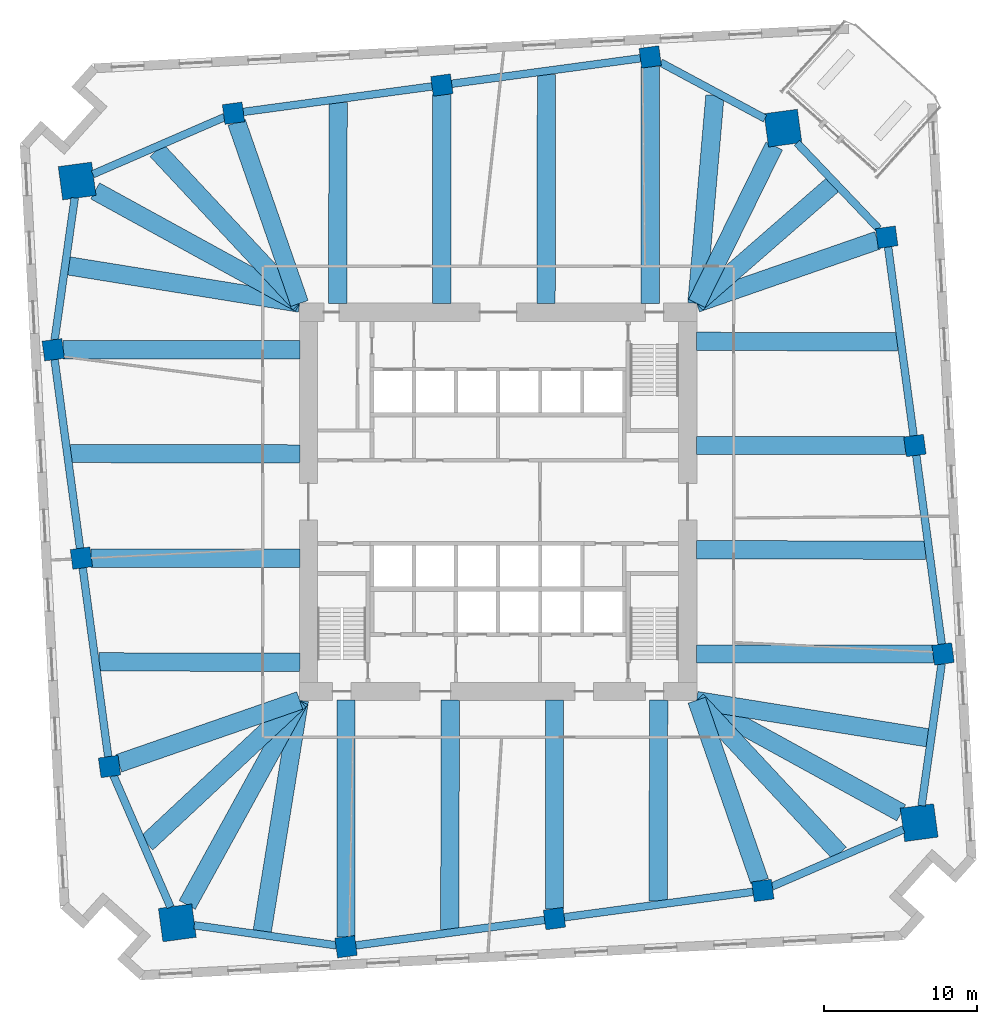
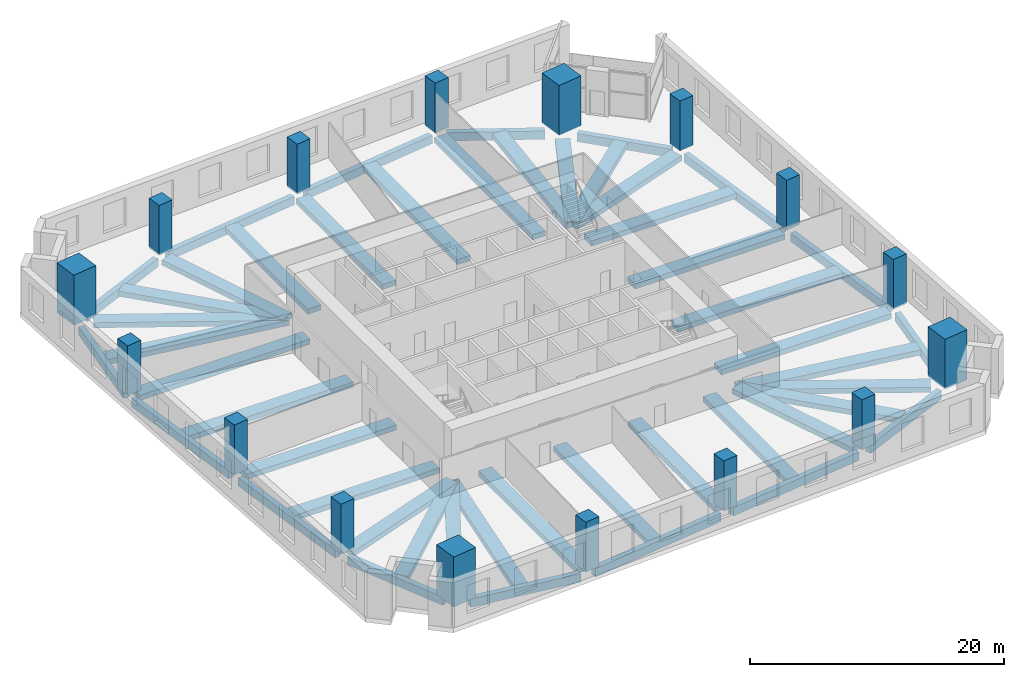
# One storey, part 1 of 10: 48 beams, 16 columns.
"""IFC4 building model written with IfcOpenShell, lengths in metres."""

from ifc_helpers import new_model, si_unit, direction, frame, origin, origin_2d, place, context, subcontext, project, spatial, rectangle, extrude, material, material_profile, profile_set, type_object, element, save


model = new_model("IFC4")

# Units and contexts
model_context = context("Model", 3, precision=1e-05, world=origin(), true_north=direction((0.0, 1.0)))
body_context = subcontext(model_context, "Body", "Model", "MODEL_VIEW")
ifc_project = project(units=[si_unit("LENGTHUNIT", "METRE"), si_unit("AREAUNIT", "SQUARE_METRE"), si_unit("VOLUMEUNIT", "CUBIC_METRE"), si_unit("PLANEANGLEUNIT", "RADIAN"), si_unit("MASSUNIT", "GRAM", prefix="KILO")], contexts=[model_context])

# Site, building, storey
site_placement = place(None, origin())
site = spatial("IfcSite", under=ifc_project, at=site_placement, CompositionType="ELEMENT")
building_placement = place(site_placement, origin())
building = spatial("IfcBuilding", under=site, at=building_placement, Name="Dilmun Exchange Tower", CompositionType="ELEMENT")
storey_placement = place(building_placement, frame((0.0, 0.0, 27.300048828125)))
storey = spatial("IfcBuildingStorey", under=building, at=storey_placement, Name="L06", CompositionType="ELEMENT", Elevation=27.300048828125)

# Columns
ifc_material_1 = material(Name="Concrete C80/95", Category="concrete")
ifc_material_profile_1 = material_profile(ifc_material_1, rectangle(XDim=2.199951171875, YDim=2.199951171875, at=origin_2d()), Name="2200 x 2200")
ifc_profile_set_1 = profile_set([ifc_material_profile_1], Name="Concrete C80/95")
column_type_1 = type_object("IfcColumnType", Name="RC mega column 2200 x 2200 C80/95", PredefinedType="COLUMN", material=ifc_profile_set_1)
for number, where, z_axis, x_axis, name in (
    (1, (18.6220703125, 24.43701171875, 0.0), (0.0, 0.0, 1.0), (0.991001197216, 0.133853005627, 0.0), "Mega column M1"),
    (2, (-27.531005859375, 20.97900390625, 0.0), (0.0, 0.0, 1.0), (0.991001197216, 0.133853005627, 0.0), "Mega column M2"),
    (3, (-20.97900390625, -27.531005859375, 0.0), (0.0, 0.0, 1.0), (0.991001197216, 0.133853005627, 0.0), "Mega column M3"),
    (4, (27.531005859375, -20.97900390625, 0.0), (0.0, 0.0, 1.0), (0.991001197216, 0.133853005627, 0.0), "Mega column M4"),
):
    element("IfcColumn", number, at=place(storey_placement, frame(where, z_axis=z_axis, x_axis=x_axis)), inside=storey, type_object=column_type_1, Name=name, PredefinedType="COLUMN", context=body_context, shape_type="SweptSolid", body=[
        extrude(rectangle(XDim=2.199951171875, YDim=2.199951171875, at=origin_2d()), origin(), (0.0, 0.0, 1.0), 4.800048828125),
    ])
ifc_material_profile_2 = material_profile(ifc_material_1, rectangle(XDim=1.300048828125, YDim=1.300048828125, at=origin_2d()), Name="1300 x 1300")
ifc_profile_set_2 = profile_set([ifc_material_profile_2], Name="Concrete C80/95")
column_type_2 = type_object("IfcColumnType", Name="RC ring column 1300 x 1300 C80/95", PredefinedType="COLUMN", material=ifc_profile_set_2)
for number, where, z_axis, x_axis, name in (
    (5, (9.945068359375, 29.093017578125, 0.0), (0.0, 0.0, 1.0), (0.991001197216, 0.133853005627, 0.0), "Ring column R01"),
    (6, (-3.680908203125, 27.2529296875, 0.0), (0.0, 0.0, 1.0), (0.991001197216, 0.133853005627, 0.0), "Ring column R02"),
    (7, (-17.306884765625, 25.412109375, 0.0), (0.0, 0.0, 1.0), (0.991001197216, 0.133853005627, 0.0), "Ring column R03"),
    (8, (-29.093017578125, 9.945068359375, 0.0), (0.0, 0.0, 1.0), (0.991001197216, 0.133853005627, 0.0), "Ring column R04"),
    (9, (-27.2529296875, -3.680908203125, 0.0), (0.0, 0.0, 1.0), (0.991001197216, 0.133853005627, 0.0), "Ring column R05"),
    (10, (-25.412109375, -17.306884765625, 0.0), (0.0, 0.0, 1.0), (0.991001197216, 0.133853005627, 0.0), "Ring column R06"),
    (11, (-9.945068359375, -29.093017578125, 0.0), (0.0, 0.0, 1.0), (0.991001197216, 0.133853005627, 0.0), "Ring column R07"),
    (12, (3.680908203125, -27.2529296875, 0.0), (0.0, 0.0, 1.0), (0.991001197216, 0.133853005627, 0.0), "Ring column R08"),
    (13, (17.306884765625, -25.412109375, 0.0), (0.0, 0.0, 1.0), (0.991001197216, 0.133853005627, 0.0), "Ring column R09"),
    (14, (29.093017578125, -9.945068359375, 0.0), (0.0, 0.0, 1.0), (0.991001197216, 0.133853005627, 0.0), "Ring column R10"),
    (15, (27.2529296875, 3.680908203125, 0.0), (0.0, 0.0, 1.0), (0.991001197216, 0.133853005627, 0.0), "Ring column R11"),
    (16, (25.412109375, 17.306884765625, 0.0), (0.0, 0.0, 1.0), (0.991001197216, 0.133853005627, 0.0), "Ring column R12"),
):
    element("IfcColumn", number, at=place(storey_placement, frame(where, z_axis=z_axis, x_axis=x_axis)), inside=storey, type_object=column_type_2, Name=name, PredefinedType="COLUMN", context=body_context, shape_type="SweptSolid", body=[
        extrude(rectangle(XDim=1.300048828125, YDim=1.300048828125, at=origin_2d()), origin(), (0.0, 0.0, 1.0), 4.800048828125),
    ])

# Beams
ifc_material_2 = material(Name="Concrete C40/50", Category="concrete")
ifc_material_profile_3 = material_profile(ifc_material_2, rectangle(XDim=1.199951171875, YDim=0.5, at=origin_2d()), Name="1200 x 500")
ifc_profile_set_3 = profile_set([ifc_material_profile_3], Name="Concrete C40/50")
beam_type_1 = type_object("IfcBeamType", Name="RC band beam 1200 x 500 C40/50", PredefinedType="BEAM", material=ifc_profile_set_3)
beam_1_placement = place(storey_placement, frame((18.049560546875, 23.272216796875, -0.699951171875), z_axis=(-0.44116009834, -0.897428419225, 0.0), x_axis=(0.897428419225, -0.44116009834, 0.0)))
element("IfcBeam", 17, at=beam_1_placement, inside=storey, type_object=beam_type_1, Name="Band beam 1", PredefinedType="BEAM", context=body_context, shape_type="SweptSolid", body=[
    extrude(rectangle(XDim=1.199951171875, YDim=0.5, at=origin_2d()), origin(), (0.0, 0.0, 1.0), 11.47314453125),
])
beam_2_placement = place(storey_placement, frame((9.945068359375, 28.464111328125, -0.699951171875), z_axis=(0.0, -1.0, 0.0), x_axis=(1.0, 0.0, 0.0)))
element("IfcBeam", 18, at=beam_2_placement, inside=storey, type_object=beam_type_1, Name="Band beam 2", PredefinedType="BEAM", context=body_context, shape_type="SweptSolid", body=[
    extrude(rectangle(XDim=1.199951171875, YDim=0.5, at=origin_2d()), origin(), (0.0, 0.0, 1.0), 15.4912109375),
])
beam_3_placement = place(storey_placement, frame((-3.680908203125, 26.6240234375, -0.699951171875), z_axis=(0.0, -1.0, 0.0), x_axis=(1.0, 0.0, 0.0)))
element("IfcBeam", 19, at=beam_3_placement, inside=storey, type_object=beam_type_1, Name="Band beam 3", PredefinedType="BEAM", context=body_context, shape_type="SweptSolid", body=[
    extrude(rectangle(XDim=1.199951171875, YDim=0.5, at=origin_2d()), origin(), (0.0, 0.0, 1.0), 13.651123046875),
])
beam_4_placement = place(storey_placement, frame((-17.098388671875, 24.81103515625, -0.699951171875), z_axis=(0.327819910959, -0.94474023201, 0.0), x_axis=(0.94474023201, 0.327819910959, 0.0)))
element("IfcBeam", 20, at=beam_4_placement, inside=storey, type_object=beam_type_1, Name="Band beam 4", PredefinedType="BEAM", context=body_context, shape_type="SweptSolid", body=[
    extrude(rectangle(XDim=1.199951171875, YDim=0.5, at=origin_2d()), origin(), (0.0, 0.0, 1.0), 12.52880859375),
])
beam_5_placement = place(storey_placement, frame((-26.355712890625, 20.333740234375, -0.699951171875), z_axis=(0.876547324806, -0.481315683699, 0.0), x_axis=(0.481315683699, 0.876547324806, 0.0)))
element("IfcBeam", 21, at=beam_5_placement, inside=storey, type_object=beam_type_1, Name="Band beam 5", PredefinedType="BEAM", context=body_context, shape_type="SweptSolid", body=[
    extrude(rectangle(XDim=1.199951171875, YDim=0.5, at=origin_2d()), origin(), (0.0, 0.0, 1.0), 15.263671875),
])
beam_6_placement = place(storey_placement, frame((-28.464111328125, 9.945068359375, -0.699951171875), z_axis=(1.0, 0.0, 0.0), x_axis=(0.0, 1.0, 0.0)))
element("IfcBeam", 22, at=beam_6_placement, inside=storey, type_object=beam_type_1, Name="Band beam 6", PredefinedType="BEAM", context=body_context, shape_type="SweptSolid", body=[
    extrude(rectangle(XDim=1.199951171875, YDim=0.5, at=origin_2d()), origin(), (0.0, 0.0, 1.0), 15.4912109375),
])
beam_7_placement = place(storey_placement, frame((-26.6240234375, -3.680908203125, -0.699951171875), z_axis=(1.0, 0.0, 0.0), x_axis=(0.0, 1.0, 0.0)))
element("IfcBeam", 23, at=beam_7_placement, inside=storey, type_object=beam_type_1, Name="Band beam 7", PredefinedType="BEAM", context=body_context, shape_type="SweptSolid", body=[
    extrude(rectangle(XDim=1.199951171875, YDim=0.5, at=origin_2d()), origin(), (0.0, 0.0, 1.0), 13.651123046875),
])
beam_8_placement = place(storey_placement, frame((-24.81103515625, -17.098388671875, -0.699951171875), z_axis=(0.94474023201, 0.327819910959, 0.0), x_axis=(-0.327819910959, 0.94474023201, 0.0)))
element("IfcBeam", 24, at=beam_8_placement, inside=storey, type_object=beam_type_1, Name="Band beam 8", PredefinedType="BEAM", context=body_context, shape_type="SweptSolid", body=[
    extrude(rectangle(XDim=1.199951171875, YDim=0.5, at=origin_2d()), origin(), (0.0, 0.0, 1.0), 12.52880859375),
])
beam_9_placement = place(storey_placement, frame((-20.333740234375, -26.355712890625, -0.699951171875), z_axis=(0.481315683699, 0.876547324806, 0.0), x_axis=(-0.876547324806, 0.481315683699, 0.0)))
element("IfcBeam", 25, at=beam_9_placement, inside=storey, type_object=beam_type_1, Name="Band beam 9", PredefinedType="BEAM", context=body_context, shape_type="SweptSolid", body=[
    extrude(rectangle(XDim=1.199951171875, YDim=0.5, at=origin_2d()), origin(), (0.0, 0.0, 1.0), 15.263671875),
])
beam_10_placement = place(storey_placement, frame((-9.945068359375, -28.464111328125, -0.699951171875), z_axis=(0.0, 1.0, 0.0), x_axis=(-1.0, 0.0, 0.0)))
element("IfcBeam", 26, at=beam_10_placement, inside=storey, type_object=beam_type_1, Name="Band beam 10", PredefinedType="BEAM", context=body_context, shape_type="SweptSolid", body=[
    extrude(rectangle(XDim=1.199951171875, YDim=0.5, at=origin_2d()), origin(), (0.0, 0.0, 1.0), 15.4912109375),
])
beam_11_placement = place(storey_placement, frame((3.680908203125, -26.6240234375, -0.699951171875), z_axis=(0.0, 1.0, 0.0), x_axis=(-1.0, 0.0, 0.0)))
element("IfcBeam", 27, at=beam_11_placement, inside=storey, type_object=beam_type_1, Name="Band beam 11", PredefinedType="BEAM", context=body_context, shape_type="SweptSolid", body=[
    extrude(rectangle(XDim=1.199951171875, YDim=0.5, at=origin_2d()), origin(), (0.0, 0.0, 1.0), 13.651123046875),
])
beam_12_placement = place(storey_placement, frame((17.098388671875, -24.81103515625, -0.699951171875), z_axis=(-0.327819910959, 0.94474023201, 0.0), x_axis=(-0.94474023201, -0.327819910959, 0.0)))
element("IfcBeam", 28, at=beam_12_placement, inside=storey, type_object=beam_type_1, Name="Band beam 12", PredefinedType="BEAM", context=body_context, shape_type="SweptSolid", body=[
    extrude(rectangle(XDim=1.199951171875, YDim=0.5, at=origin_2d()), origin(), (0.0, 0.0, 1.0), 12.52880859375),
])
beam_13_placement = place(storey_placement, frame((26.355712890625, -20.333740234375, -0.699951171875), z_axis=(-0.876547324806, 0.481315683699, 0.0), x_axis=(-0.481315683699, -0.876547324806, 0.0)))
element("IfcBeam", 29, at=beam_13_placement, inside=storey, type_object=beam_type_1, Name="Band beam 13", PredefinedType="BEAM", context=body_context, shape_type="SweptSolid", body=[
    extrude(rectangle(XDim=1.199951171875, YDim=0.5, at=origin_2d()), origin(), (0.0, 0.0, 1.0), 15.263671875),
])
beam_14_placement = place(storey_placement, frame((28.464111328125, -9.945068359375, -0.699951171875), z_axis=(-1.0, 0.0, 0.0), x_axis=(0.0, -1.0, 0.0)))
element("IfcBeam", 30, at=beam_14_placement, inside=storey, type_object=beam_type_1, Name="Band beam 14", PredefinedType="BEAM", context=body_context, shape_type="SweptSolid", body=[
    extrude(rectangle(XDim=1.199951171875, YDim=0.5, at=origin_2d()), origin(), (0.0, 0.0, 1.0), 15.4912109375),
])
beam_15_placement = place(storey_placement, frame((26.6240234375, 3.680908203125, -0.699951171875), z_axis=(-1.0, 0.0, 0.0), x_axis=(0.0, -1.0, 0.0)))
element("IfcBeam", 31, at=beam_15_placement, inside=storey, type_object=beam_type_1, Name="Band beam 15", PredefinedType="BEAM", context=body_context, shape_type="SweptSolid", body=[
    extrude(rectangle(XDim=1.199951171875, YDim=0.5, at=origin_2d()), origin(), (0.0, 0.0, 1.0), 13.651123046875),
])
beam_16_placement = place(storey_placement, frame((24.81103515625, 17.098388671875, -0.699951171875), z_axis=(-0.94474023201, -0.327819910959, 0.0), x_axis=(0.327819910959, -0.94474023201, 0.0)))
element("IfcBeam", 32, at=beam_16_placement, inside=storey, type_object=beam_type_1, Name="Band beam 16", PredefinedType="BEAM", context=body_context, shape_type="SweptSolid", body=[
    extrude(rectangle(XDim=1.199951171875, YDim=0.5, at=origin_2d()), origin(), (0.0, 0.0, 1.0), 12.52880859375),
])
beam_17_placement = place(storey_placement, frame((14.177978515625, 26.568603515625, -0.699951171875), z_axis=(-0.086499148019, -0.996251924662, 0.0), x_axis=(0.996251924662, -0.086499148019, 0.0)))
element("IfcBeam", 33, at=beam_17_placement, inside=storey, type_object=beam_type_1, Name="Band beam 17", PredefinedType="BEAM", context=body_context, shape_type="SweptSolid", body=[
    extrude(rectangle(XDim=1.199951171875, YDim=0.5, at=origin_2d()), origin(), (0.0, 0.0, 1.0), 13.646728515625),
])
beam_18_placement = place(storey_placement, frame((3.161865234375, 27.951904296875, -0.699951171875), z_axis=(-0.001988456479, -0.999998023018, 0.0), x_axis=(0.999998023018, -0.001988456479, 0.0)))
element("IfcBeam", 34, at=beam_18_placement, inside=storey, type_object=beam_type_1, Name="Band beam 18", PredefinedType="BEAM", context=body_context, shape_type="SweptSolid", body=[
    extrude(rectangle(XDim=1.199951171875, YDim=0.5, at=origin_2d()), origin(), (0.0, 0.0, 1.0), 14.97900390625),
])
beam_19_placement = place(storey_placement, frame((-10.464111328125, 26.111572265625, -0.699951171875), z_axis=(-0.002266977971, -0.999997430402, 0.0), x_axis=(0.999997430402, -0.002266977971, 0.0)))
element("IfcBeam", 35, at=beam_19_placement, inside=storey, type_object=beam_type_1, Name="Band beam 19", PredefinedType="BEAM", context=body_context, shape_type="SweptSolid", body=[
    extrude(rectangle(XDim=1.199951171875, YDim=0.5, at=origin_2d()), origin(), (0.0, 0.0, 1.0), 13.138671875),
])
beam_20_placement = place(storey_placement, frame((-22.330322265625, 22.990966796875, -0.699951171875), z_axis=(0.682523984798, -0.730863195253, 0.0), x_axis=(0.730863195253, 0.682523984798, 0.0)))
element("IfcBeam", 36, at=beam_20_placement, inside=storey, type_object=beam_type_1, Name="Band beam 20", PredefinedType="BEAM", context=body_context, shape_type="SweptSolid", body=[
    extrude(rectangle(XDim=1.199951171875, YDim=0.5, at=origin_2d()), origin(), (0.0, 0.0, 1.0), 13.697265625),
])
beam_21_placement = place(storey_placement, frame((-28.09130859375, 15.4306640625, -0.699951171875), z_axis=(0.98727513595, -0.159021400868, 0.0), x_axis=(0.159021400868, 0.98727513595, 0.0)))
element("IfcBeam", 37, at=beam_21_placement, inside=storey, type_object=beam_type_1, Name="Band beam 21", PredefinedType="BEAM", context=body_context, shape_type="SweptSolid", body=[
    extrude(rectangle(XDim=1.199951171875, YDim=0.5, at=origin_2d()), origin(), (0.0, 0.0, 1.0), 15.312744140625),
])
beam_22_placement = place(storey_placement, frame((-27.951904296875, 3.161865234375, -0.699951171875), z_axis=(0.999998023018, -0.001988456479, 0.0), x_axis=(0.001988456479, 0.999998023018, 0.0)))
element("IfcBeam", 38, at=beam_22_placement, inside=storey, type_object=beam_type_1, Name="Band beam 22", PredefinedType="BEAM", context=body_context, shape_type="SweptSolid", body=[
    extrude(rectangle(XDim=1.199951171875, YDim=0.5, at=origin_2d()), origin(), (0.0, 0.0, 1.0), 14.97900390625),
])
beam_23_placement = place(storey_placement, frame((-26.111572265625, -10.464111328125, -0.699951171875), z_axis=(0.999997430402, -0.002266977971, 0.0), x_axis=(0.002266977971, 0.999997430402, 0.0)))
element("IfcBeam", 39, at=beam_23_placement, inside=storey, type_object=beam_type_1, Name="Band beam 23", PredefinedType="BEAM", context=body_context, shape_type="SweptSolid", body=[
    extrude(rectangle(XDim=1.199951171875, YDim=0.5, at=origin_2d()), origin(), (0.0, 0.0, 1.0), 13.138671875),
])
beam_24_placement = place(storey_placement, frame((-22.990966796875, -22.330322265625, -0.699951171875), z_axis=(0.730863195253, 0.682523984798, 0.0), x_axis=(-0.682523984798, 0.730863195253, 0.0)))
element("IfcBeam", 40, at=beam_24_placement, inside=storey, type_object=beam_type_1, Name="Band beam 24", PredefinedType="BEAM", context=body_context, shape_type="SweptSolid", body=[
    extrude(rectangle(XDim=1.199951171875, YDim=0.5, at=origin_2d()), origin(), (0.0, 0.0, 1.0), 13.697265625),
])
beam_25_placement = place(storey_placement, frame((-15.4306640625, -28.09130859375, -0.699951171875), z_axis=(0.159021400868, 0.98727513595, 0.0), x_axis=(-0.98727513595, 0.159021400868, 0.0)))
element("IfcBeam", 41, at=beam_25_placement, inside=storey, type_object=beam_type_1, Name="Band beam 25", PredefinedType="BEAM", context=body_context, shape_type="SweptSolid", body=[
    extrude(rectangle(XDim=1.199951171875, YDim=0.5, at=origin_2d()), origin(), (0.0, 0.0, 1.0), 15.312744140625),
])
beam_26_placement = place(storey_placement, frame((-3.161865234375, -27.951904296875, -0.699951171875), z_axis=(0.001988456479, 0.999998023018, 0.0), x_axis=(-0.999998023018, 0.001988456479, 0.0)))
element("IfcBeam", 42, at=beam_26_placement, inside=storey, type_object=beam_type_1, Name="Band beam 26", PredefinedType="BEAM", context=body_context, shape_type="SweptSolid", body=[
    extrude(rectangle(XDim=1.199951171875, YDim=0.5, at=origin_2d()), origin(), (0.0, 0.0, 1.0), 14.97900390625),
])
beam_27_placement = place(storey_placement, frame((10.464111328125, -26.111572265625, -0.699951171875), z_axis=(0.002266977971, 0.999997430402, 0.0), x_axis=(-0.999997430402, 0.002266977971, 0.0)))
element("IfcBeam", 43, at=beam_27_placement, inside=storey, type_object=beam_type_1, Name="Band beam 27", PredefinedType="BEAM", context=body_context, shape_type="SweptSolid", body=[
    extrude(rectangle(XDim=1.199951171875, YDim=0.5, at=origin_2d()), origin(), (0.0, 0.0, 1.0), 13.138671875),
])
beam_28_placement = place(storey_placement, frame((22.330322265625, -22.990966796875, -0.699951171875), z_axis=(-0.682523984798, 0.730863195253, 0.0), x_axis=(-0.730863195253, -0.682523984798, 0.0)))
element("IfcBeam", 44, at=beam_28_placement, inside=storey, type_object=beam_type_1, Name="Band beam 28", PredefinedType="BEAM", context=body_context, shape_type="SweptSolid", body=[
    extrude(rectangle(XDim=1.199951171875, YDim=0.5, at=origin_2d()), origin(), (0.0, 0.0, 1.0), 13.697265625),
])
beam_29_placement = place(storey_placement, frame((28.09130859375, -15.4306640625, -0.699951171875), z_axis=(-0.98727513595, 0.159021400868, 0.0), x_axis=(-0.159021400868, -0.98727513595, 0.0)))
element("IfcBeam", 45, at=beam_29_placement, inside=storey, type_object=beam_type_1, Name="Band beam 29", PredefinedType="BEAM", context=body_context, shape_type="SweptSolid", body=[
    extrude(rectangle(XDim=1.199951171875, YDim=0.5, at=origin_2d()), origin(), (0.0, 0.0, 1.0), 15.312744140625),
])
beam_30_placement = place(storey_placement, frame((27.951904296875, -3.161865234375, -0.699951171875), z_axis=(-0.999998023018, 0.001988456479, 0.0), x_axis=(-0.001988456479, -0.999998023018, 0.0)))
element("IfcBeam", 46, at=beam_30_placement, inside=storey, type_object=beam_type_1, Name="Band beam 30", PredefinedType="BEAM", context=body_context, shape_type="SweptSolid", body=[
    extrude(rectangle(XDim=1.199951171875, YDim=0.5, at=origin_2d()), origin(), (0.0, 0.0, 1.0), 14.97900390625),
])
beam_31_placement = place(storey_placement, frame((26.111572265625, 10.464111328125, -0.699951171875), z_axis=(-0.999997430402, 0.002266977971, 0.0), x_axis=(-0.002266977971, -0.999997430402, 0.0)))
element("IfcBeam", 47, at=beam_31_placement, inside=storey, type_object=beam_type_1, Name="Band beam 31", PredefinedType="BEAM", context=body_context, shape_type="SweptSolid", body=[
    extrude(rectangle(XDim=1.199951171875, YDim=0.5, at=origin_2d()), origin(), (0.0, 0.0, 1.0), 13.138671875),
])
beam_32_placement = place(storey_placement, frame((21.85546875, 20.71826171875, -0.699951171875), z_axis=(-0.75384567582, -0.657051517803, 0.0), x_axis=(0.657051517803, -0.75384567582, 0.0)))
element("IfcBeam", 48, at=beam_32_placement, inside=storey, type_object=beam_type_1, Name="Band beam 32", PredefinedType="BEAM", context=body_context, shape_type="SweptSolid", body=[
    extrude(rectangle(XDim=1.199951171875, YDim=0.5, at=origin_2d()), origin(), (0.0, 0.0, 1.0), 11.77392578125),
])
ifc_material_profile_4 = material_profile(ifc_material_2, rectangle(XDim=0.5, YDim=0.800048828125, at=origin_2d()), Name="500 x 800")
ifc_profile_set_4 = profile_set([ifc_material_profile_4], Name="Concrete C40/50")
beam_type_2 = type_object("IfcBeamType", Name="RC ring beam 500 x 800 C40/50", PredefinedType="SPANDREL", material=ifc_profile_set_4)
beam_33_placement = place(storey_placement, frame((17.44921875, 25.06640625, -0.85009765625), z_axis=(-0.881161870548, 0.472814718354, 0.0), x_axis=(-0.472814718354, -0.881161870548, 0.0)))
element("IfcBeam", 49, at=beam_33_placement, inside=storey, type_object=beam_type_2, Name="Ring beam 1", PredefinedType="SPANDREL", context=body_context, shape_type="SweptSolid", body=[
    extrude(rectangle(XDim=0.5, YDim=0.800048828125, at=origin_2d()), origin(), (0.0, 0.0, 1.0), 7.74072265625),
])
for number, where, z_axis, x_axis, name in (
    (50, (9.32763671875, 29.009521484375, -0.85009765625), (-0.991007411355, -0.133806990248, 0.0), (0.133806990248, -0.991007411355, 0.0), "Ring beam 2"),
    (51, (-4.29833984375, 27.169677734375, -0.85009765625), (-0.990994461239, -0.133902867012, 0.0), (0.133902867012, -0.990994461239, 0.0), "Ring beam 3"),
):
    element("IfcBeam", number, at=place(storey_placement, frame(where, z_axis=z_axis, x_axis=x_axis)), inside=storey, type_object=beam_type_2, Name=name, PredefinedType="SPANDREL", context=body_context, shape_type="SweptSolid", body=[
        extrude(rectangle(XDim=0.5, YDim=0.800048828125, at=origin_2d()), origin(), (0.0, 0.0, 1.0), 12.50390625),
    ])
beam_34_placement = place(storey_placement, frame((-17.90185546875, 25.154052734375, -0.85009765625), z_axis=(-0.917467286901, -0.397811233459, 0.0), x_axis=(0.397811233459, -0.917467286901, 0.0)))
element("IfcBeam", 52, at=beam_34_placement, inside=storey, type_object=beam_type_2, Name="Ring beam 4", PredefinedType="SPANDREL", context=body_context, shape_type="SweptSolid", body=[
    extrude(rectangle(XDim=0.5, YDim=0.800048828125, at=origin_2d()), origin(), (0.0, 0.0, 1.0), 9.37939453125),
])
beam_35_placement = place(storey_placement, frame((-27.6875, 19.8740234375, -0.85009765625), z_axis=(-0.140164060375, -0.990128292788, 0.0), x_axis=(0.990128292788, -0.140164060375, 0.0)))
element("IfcBeam", 53, at=beam_35_placement, inside=storey, type_object=beam_type_2, Name="Ring beam 5", PredefinedType="SPANDREL", context=body_context, shape_type="SweptSolid", body=[
    extrude(rectangle(XDim=0.5, YDim=0.800048828125, at=origin_2d()), origin(), (0.0, 0.0, 1.0), 9.379638671875),
])
for number, where, z_axis, x_axis, name in (
    (54, (-29.009521484375, 9.32763671875, -0.85009765625), (0.133806990248, -0.991007411355, 0.0), (0.991007411355, 0.133806990248, 0.0), "Ring beam 6"),
    (55, (-27.169677734375, -4.29833984375, -0.85009765625), (0.133902867012, -0.990994461239, 0.0), (0.990994461239, 0.133902867012, 0.0), "Ring beam 7"),
):
    element("IfcBeam", number, at=place(storey_placement, frame(where, z_axis=z_axis, x_axis=x_axis)), inside=storey, type_object=beam_type_2, Name=name, PredefinedType="SPANDREL", context=body_context, shape_type="SweptSolid", body=[
        extrude(rectangle(XDim=0.5, YDim=0.800048828125, at=origin_2d()), origin(), (0.0, 0.0, 1.0), 12.50390625),
    ])
beam_36_placement = place(storey_placement, frame((-25.154052734375, -17.90185546875, -0.85009765625), z_axis=(0.397811233459, -0.917467286901, 0.0), x_axis=(0.917467286901, 0.397811233459, 0.0)))
element("IfcBeam", 56, at=beam_36_placement, inside=storey, type_object=beam_type_2, Name="Ring beam 8", PredefinedType="SPANDREL", context=body_context, shape_type="SweptSolid", body=[
    extrude(rectangle(XDim=0.5, YDim=0.800048828125, at=origin_2d()), origin(), (0.0, 0.0, 1.0), 9.37939453125),
])
beam_37_placement = place(storey_placement, frame((-19.8740234375, -27.6875, -0.85009765625), z_axis=(0.990128292788, -0.140164060375, 0.0), x_axis=(0.140164060375, 0.990128292788, 0.0)))
element("IfcBeam", 57, at=beam_37_placement, inside=storey, type_object=beam_type_2, Name="Ring beam 9", PredefinedType="SPANDREL", context=body_context, shape_type="SweptSolid", body=[
    extrude(rectangle(XDim=0.5, YDim=0.800048828125, at=origin_2d()), origin(), (0.0, 0.0, 1.0), 9.379638671875),
])
for number, where, z_axis, x_axis, name in (
    (58, (-9.32763671875, -29.009521484375, -0.85009765625), (0.991007411355, 0.133806990248, 0.0), (-0.133806990248, 0.991007411355, 0.0), "Ring beam 10"),
    (59, (4.29833984375, -27.169677734375, -0.85009765625), (0.990994461239, 0.133902867012, 0.0), (-0.133902867012, 0.990994461239, 0.0), "Ring beam 11"),
):
    element("IfcBeam", number, at=place(storey_placement, frame(where, z_axis=z_axis, x_axis=x_axis)), inside=storey, type_object=beam_type_2, Name=name, PredefinedType="SPANDREL", context=body_context, shape_type="SweptSolid", body=[
        extrude(rectangle(XDim=0.5, YDim=0.800048828125, at=origin_2d()), origin(), (0.0, 0.0, 1.0), 12.50390625),
    ])
beam_38_placement = place(storey_placement, frame((17.90185546875, -25.154052734375, -0.85009765625), z_axis=(0.917467286901, 0.397811233459, 0.0), x_axis=(-0.397811233459, 0.917467286901, 0.0)))
element("IfcBeam", 60, at=beam_38_placement, inside=storey, type_object=beam_type_2, Name="Ring beam 12", PredefinedType="SPANDREL", context=body_context, shape_type="SweptSolid", body=[
    extrude(rectangle(XDim=0.5, YDim=0.800048828125, at=origin_2d()), origin(), (0.0, 0.0, 1.0), 9.37939453125),
])
beam_39_placement = place(storey_placement, frame((27.6875, -19.8740234375, -0.85009765625), z_axis=(0.140164060375, 0.990128292788, 0.0), x_axis=(-0.990128292788, 0.140164060375, 0.0)))
element("IfcBeam", 61, at=beam_39_placement, inside=storey, type_object=beam_type_2, Name="Ring beam 13", PredefinedType="SPANDREL", context=body_context, shape_type="SweptSolid", body=[
    extrude(rectangle(XDim=0.5, YDim=0.800048828125, at=origin_2d()), origin(), (0.0, 0.0, 1.0), 9.379638671875),
])
for number, where, z_axis, x_axis, name in (
    (62, (29.009521484375, -9.32763671875, -0.85009765625), (-0.133806990248, 0.991007411355, 0.0), (-0.991007411355, -0.133806990248, 0.0), "Ring beam 14"),
    (63, (27.169677734375, 4.29833984375, -0.85009765625), (-0.133902867012, 0.990994461239, 0.0), (-0.990994461239, -0.133902867012, 0.0), "Ring beam 15"),
):
    element("IfcBeam", number, at=place(storey_placement, frame(where, z_axis=z_axis, x_axis=x_axis)), inside=storey, type_object=beam_type_2, Name=name, PredefinedType="SPANDREL", context=body_context, shape_type="SweptSolid", body=[
        extrude(rectangle(XDim=0.5, YDim=0.800048828125, at=origin_2d()), origin(), (0.0, 0.0, 1.0), 12.50390625),
    ])
beam_40_placement = place(storey_placement, frame((24.877197265625, 17.86865234375, -0.85009765625), z_axis=(-0.689624451134, 0.724167188154, 0.0), x_axis=(-0.724167188154, -0.689624451134, 0.0)))
element("IfcBeam", 64, at=beam_40_placement, inside=storey, type_object=beam_type_2, Name="Ring beam 16", PredefinedType="SPANDREL", context=body_context, shape_type="SweptSolid", body=[
    extrude(rectangle(XDim=0.5, YDim=0.800048828125, at=origin_2d()), origin(), (0.0, 0.0, 1.0), 7.7392578125),
])

save(model, "model.ifc")
